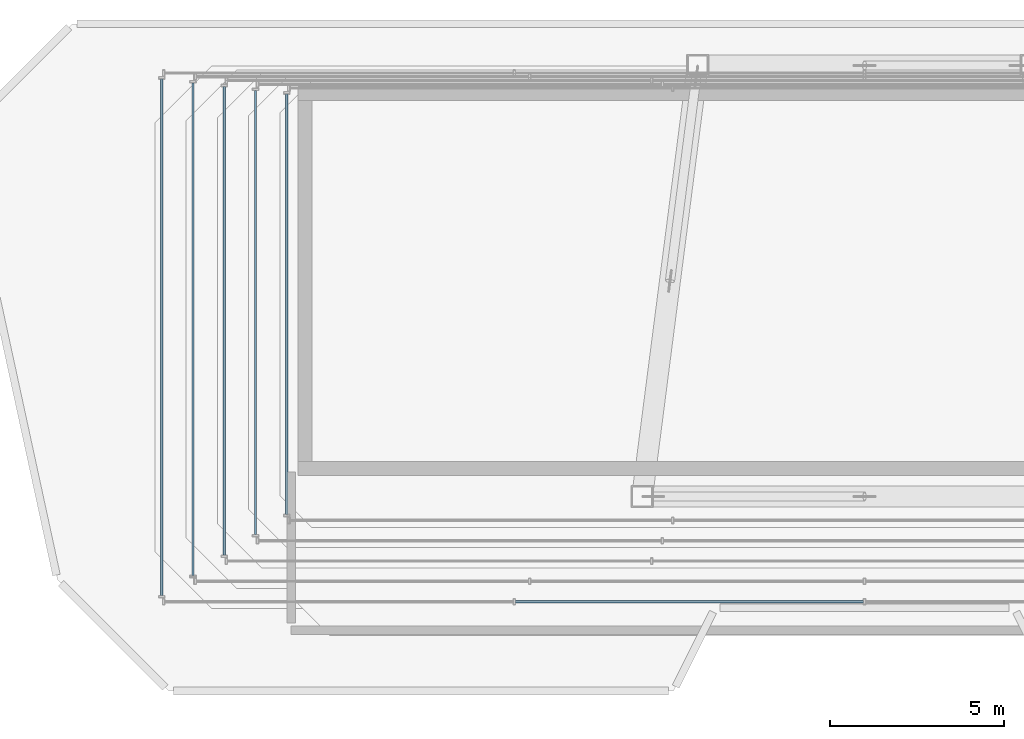
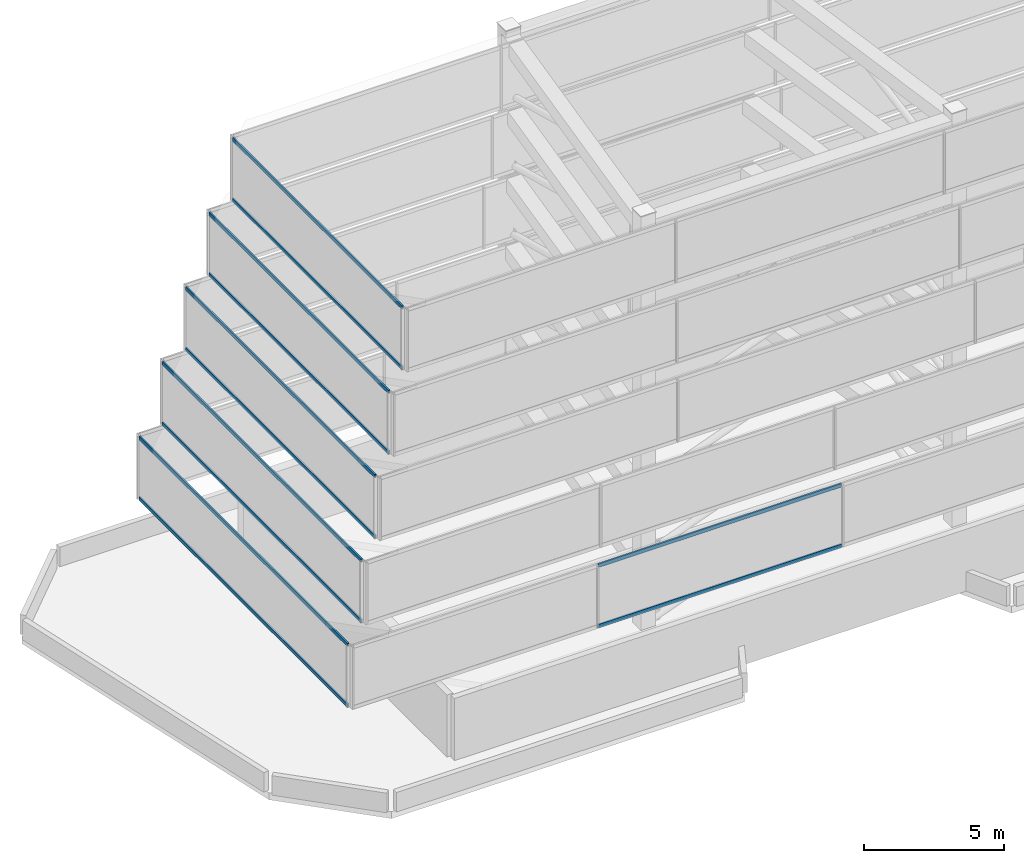
# One storey, part 4 of 29: 12 members, 6 elements without a shape of their own.
"""IFC4 building model written with IfcOpenShell, lengths in metres."""

from ifc_helpers import new_model, si_unit, direction, frame, origin, origin_2d, place, context, subcontext, project, spatial, hollow_rectangle, extrude, material, material_profile, profile_set, type_object, element, aggregate, save


model = new_model("IFC4")

# Units and contexts
model_context = context("Model", 3, precision=1e-05, world=origin(), true_north=direction((0.0, 1.0)))
body_context = subcontext(model_context, "Body", "Model", "MODEL_VIEW")
ifc_project = project(units=[si_unit("LENGTHUNIT", "METRE"), si_unit("AREAUNIT", "SQUARE_METRE"), si_unit("VOLUMEUNIT", "CUBIC_METRE"), si_unit("PLANEANGLEUNIT", "RADIAN"), si_unit("MASSUNIT", "GRAM", prefix="KILO")], contexts=[model_context])

# Site, building, storey
site_placement = place(None, origin())
site = spatial("IfcSite", under=ifc_project, at=site_placement, CompositionType="ELEMENT")
building_placement = place(site_placement, origin())
building = spatial("IfcBuilding", under=site, at=building_placement, Name="Saevonmaru Cultural Tower", CompositionType="ELEMENT")
storey_placement = place(building_placement, frame((0.0, 0.0, 327.60009765625)))
storey = spatial("IfcBuildingStorey", under=building, at=storey_placement, Name="RF", CompositionType="ELEMENT", Elevation=327.60009765625)

# Curtain wall, members
ifc_material = material(Name="Satin Bronze Anodised Aluminium", Category="aluminium")
curtain_wall_type = type_object("IfcCurtainWallType", Name="CW-TYP-B", PredefinedType="NOTDEFINED", material=ifc_material)
curtain_wall_1_placement = place(storey_placement, origin())
curtain_wall_1 = element("IfcCurtainWall", 1, at=curtain_wall_1_placement, inside=storey, type_object=curtain_wall_type, Name="RF Ziggurat Crown Tier 2 Bronze Louvre Screen 1", PredefinedType="NOTDEFINED")
ifc_material_profile = material_profile(ifc_material, hollow_rectangle(XDim=0.06494140625, YDim=0.14990234375, WallThickness=0.00390625, at=origin_2d()), Name="ALU-TRAN-150x65x4")
ifc_profile_set = profile_set([ifc_material_profile], Name="Satin Bronze Anodised Aluminium")
member_type = type_object("IfcMemberType", Name="TR-CW-150x65", PredefinedType="USERDEFINED", material=ifc_profile_set)
member_1_placement = place(storey_placement, frame((19.948974609375, 39.3701171875, 3.032470703125), z_axis=(1.0, 0.0, 0.0), x_axis=(0.0, 1.0, 0.0)))
member_1 = element("IfcMember", 2, at=member_1_placement, type_object=member_type, Name="CW-CROWN-T2-1 transom 2.1", ObjectType="TRANSOM", PredefinedType="USERDEFINED", context=body_context, shape_type="SweptSolid", body=[
    extrude(hollow_rectangle(XDim=0.06494140625, YDim=0.14990234375, WallThickness=0.00390625, at=origin_2d()), origin(), (0.0, 0.0, 1.0), 10.0185546875),
])
member_2_placement = place(storey_placement, frame((19.948974609375, 39.3701171875, 5.66748046875), z_axis=(1.0, 0.0, 0.0), x_axis=(0.0, 1.0, 0.0)))
member_2 = element("IfcMember", 3, at=member_2_placement, type_object=member_type, Name="CW-CROWN-T2-1 transom 2.2", ObjectType="TRANSOM", PredefinedType="USERDEFINED", context=body_context, shape_type="SweptSolid", body=[
    extrude(hollow_rectangle(XDim=0.06494140625, YDim=0.14990234375, WallThickness=0.00390625, at=origin_2d()), origin(), (0.0, 0.0, 1.0), 10.0185546875),
])
aggregate(curtain_wall_1, [member_1, member_2])

curtain_wall_2_placement = place(storey_placement, origin())
curtain_wall_2 = element("IfcCurtainWall", 4, at=curtain_wall_2_placement, inside=storey, type_object=curtain_wall_type, Name="RF Ziggurat Crown Tier 2 Bronze Louvre Screen 4", PredefinedType="NOTDEFINED")
member_3_placement = place(storey_placement, frame((9.77294921875, 54.41162109375, 3.032470703125), z_axis=(0.0, -1.0, 0.0), x_axis=(1.0, 0.0, 0.0)))
member_3 = element("IfcMember", 5, at=member_3_placement, type_object=member_type, Name="CW-CROWN-T2-4 transom 1.1", ObjectType="TRANSOM", PredefinedType="USERDEFINED", context=body_context, shape_type="SweptSolid", body=[
    extrude(hollow_rectangle(XDim=0.06494140625, YDim=0.14990234375, WallThickness=0.00390625, at=origin_2d()), origin(), (0.0, 0.0, 1.0), 14.869140625),
])
member_4_placement = place(storey_placement, frame((9.77294921875, 54.41162109375, 5.66748046875), z_axis=(0.0, -1.0, 0.0), x_axis=(1.0, 0.0, 0.0)))
member_4 = element("IfcMember", 6, at=member_4_placement, type_object=member_type, Name="CW-CROWN-T2-4 transom 1.2", ObjectType="TRANSOM", PredefinedType="USERDEFINED", context=body_context, shape_type="SweptSolid", body=[
    extrude(hollow_rectangle(XDim=0.06494140625, YDim=0.14990234375, WallThickness=0.00390625, at=origin_2d()), origin(), (0.0, 0.0, 1.0), 14.869140625),
])
aggregate(curtain_wall_2, [member_3, member_4])

curtain_wall_3_placement = place(storey_placement, origin())
curtain_wall_3 = element("IfcCurtainWall", 7, at=curtain_wall_3_placement, inside=storey, type_object=curtain_wall_type, Name="RF Ziggurat Crown Tier 3 Bronze Louvre Screen 4", PredefinedType="NOTDEFINED")
member_5_placement = place(storey_placement, frame((10.673095703125, 54.303466796875, 6.032470703125), z_axis=(0.0, -1.0, 0.0), x_axis=(1.0, 0.0, 0.0)))
member_5 = element("IfcMember", 8, at=member_5_placement, type_object=member_type, Name="CW-CROWN-T3-4 transom 1.1", ObjectType="TRANSOM", PredefinedType="USERDEFINED", context=body_context, shape_type="SweptSolid", body=[
    extrude(hollow_rectangle(XDim=0.06494140625, YDim=0.14990234375, WallThickness=0.00390625, at=origin_2d()), origin(), (0.0, 0.0, 1.0), 14.176025390625),
])
member_6_placement = place(storey_placement, frame((10.673095703125, 54.303466796875, 8.66748046875), z_axis=(0.0, -1.0, 0.0), x_axis=(1.0, 0.0, 0.0)))
member_6 = element("IfcMember", 9, at=member_6_placement, type_object=member_type, Name="CW-CROWN-T3-4 transom 1.2", ObjectType="TRANSOM", PredefinedType="USERDEFINED", context=body_context, shape_type="SweptSolid", body=[
    extrude(hollow_rectangle(XDim=0.06494140625, YDim=0.14990234375, WallThickness=0.00390625, at=origin_2d()), origin(), (0.0, 0.0, 1.0), 14.176025390625),
])
aggregate(curtain_wall_3, [member_5, member_6])

curtain_wall_4_placement = place(storey_placement, origin())
curtain_wall_4 = element("IfcCurtainWall", 10, at=curtain_wall_4_placement, inside=storey, type_object=curtain_wall_type, Name="RF Ziggurat Crown Tier 4 Bronze Louvre Screen 4", PredefinedType="NOTDEFINED")
member_7_placement = place(storey_placement, frame((11.572998046875, 54.195556640625, 9.032470703125), z_axis=(0.0, -1.0, 0.0), x_axis=(1.0, 0.0, 0.0)))
member_7 = element("IfcMember", 11, at=member_7_placement, type_object=member_type, Name="CW-CROWN-T4-4 transom 1.1", ObjectType="TRANSOM", PredefinedType="USERDEFINED", context=body_context, shape_type="SweptSolid", body=[
    extrude(hollow_rectangle(XDim=0.06494140625, YDim=0.14990234375, WallThickness=0.00390625, at=origin_2d()), origin(), (0.0, 0.0, 1.0), 13.483154296875),
])
member_8_placement = place(storey_placement, frame((11.572998046875, 54.195556640625, 11.66748046875), z_axis=(0.0, -1.0, 0.0), x_axis=(1.0, 0.0, 0.0)))
member_8 = element("IfcMember", 12, at=member_8_placement, type_object=member_type, Name="CW-CROWN-T4-4 transom 1.2", ObjectType="TRANSOM", PredefinedType="USERDEFINED", context=body_context, shape_type="SweptSolid", body=[
    extrude(hollow_rectangle(XDim=0.06494140625, YDim=0.14990234375, WallThickness=0.00390625, at=origin_2d()), origin(), (0.0, 0.0, 1.0), 13.483154296875),
])
aggregate(curtain_wall_4, [member_7, member_8])

curtain_wall_5_placement = place(storey_placement, origin())
curtain_wall_5 = element("IfcCurtainWall", 13, at=curtain_wall_5_placement, inside=storey, type_object=curtain_wall_type, Name="RF Ziggurat Crown Tier 5 Bronze Louvre Screen 4", PredefinedType="NOTDEFINED")
member_9_placement = place(storey_placement, frame((12.472900390625, 54.08740234375, 12.032470703125), z_axis=(0.0, -1.0, 0.0), x_axis=(1.0, 0.0, 0.0)))
member_9 = element("IfcMember", 14, at=member_9_placement, type_object=member_type, Name="CW-CROWN-T5-4 transom 1.1", ObjectType="TRANSOM", PredefinedType="USERDEFINED", context=body_context, shape_type="SweptSolid", body=[
    extrude(hollow_rectangle(XDim=0.06494140625, YDim=0.14990234375, WallThickness=0.00390625, at=origin_2d()), origin(), (0.0, 0.0, 1.0), 12.789794921875),
])
member_10_placement = place(storey_placement, frame((12.472900390625, 54.08740234375, 14.66748046875), z_axis=(0.0, -1.0, 0.0), x_axis=(1.0, 0.0, 0.0)))
member_10 = element("IfcMember", 15, at=member_10_placement, type_object=member_type, Name="CW-CROWN-T5-4 transom 1.2", ObjectType="TRANSOM", PredefinedType="USERDEFINED", context=body_context, shape_type="SweptSolid", body=[
    extrude(hollow_rectangle(XDim=0.06494140625, YDim=0.14990234375, WallThickness=0.00390625, at=origin_2d()), origin(), (0.0, 0.0, 1.0), 12.789794921875),
])
aggregate(curtain_wall_5, [member_9, member_10])

curtain_wall_6_placement = place(storey_placement, origin())
curtain_wall_6 = element("IfcCurtainWall", 16, at=curtain_wall_6_placement, inside=storey, type_object=curtain_wall_type, Name="RF Ziggurat Crown Tier 6 Bronze Louvre Screen 4", PredefinedType="NOTDEFINED")
member_11_placement = place(storey_placement, frame((13.373046875, 53.9794921875, 15.032470703125), z_axis=(0.0, -1.0, 0.0), x_axis=(1.0, 0.0, 0.0)))
member_11 = element("IfcMember", 17, at=member_11_placement, type_object=member_type, Name="CW-CROWN-T6-4 transom 1.1", ObjectType="TRANSOM", PredefinedType="USERDEFINED", context=body_context, shape_type="SweptSolid", body=[
    extrude(hollow_rectangle(XDim=0.06494140625, YDim=0.14990234375, WallThickness=0.00390625, at=origin_2d()), origin(), (0.0, 0.0, 1.0), 12.096923828125),
])
member_12_placement = place(storey_placement, frame((13.373046875, 53.9794921875, 17.66748046875), z_axis=(0.0, -1.0, 0.0), x_axis=(1.0, 0.0, 0.0)))
member_12 = element("IfcMember", 18, at=member_12_placement, type_object=member_type, Name="CW-CROWN-T6-4 transom 1.2", ObjectType="TRANSOM", PredefinedType="USERDEFINED", context=body_context, shape_type="SweptSolid", body=[
    extrude(hollow_rectangle(XDim=0.06494140625, YDim=0.14990234375, WallThickness=0.00390625, at=origin_2d()), origin(), (0.0, 0.0, 1.0), 12.096923828125),
])
aggregate(curtain_wall_6, [member_11, member_12])

save(model, "model.ifc")
